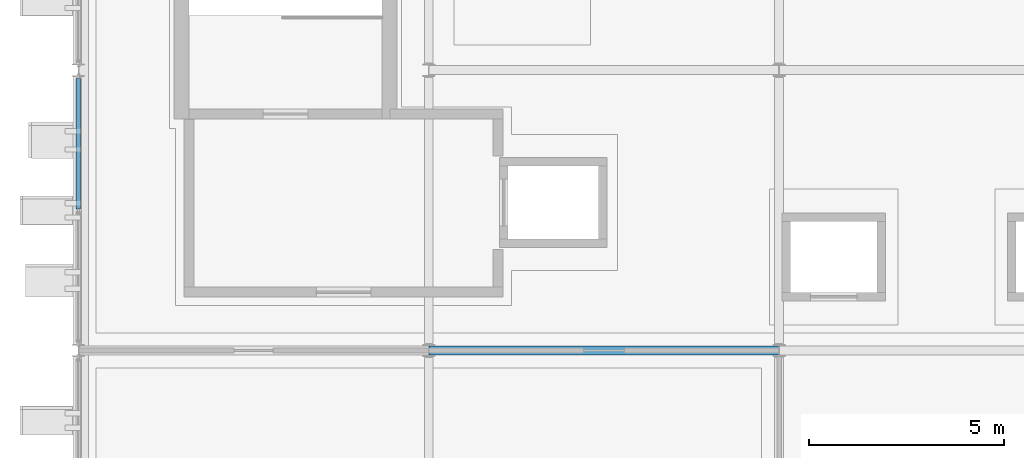
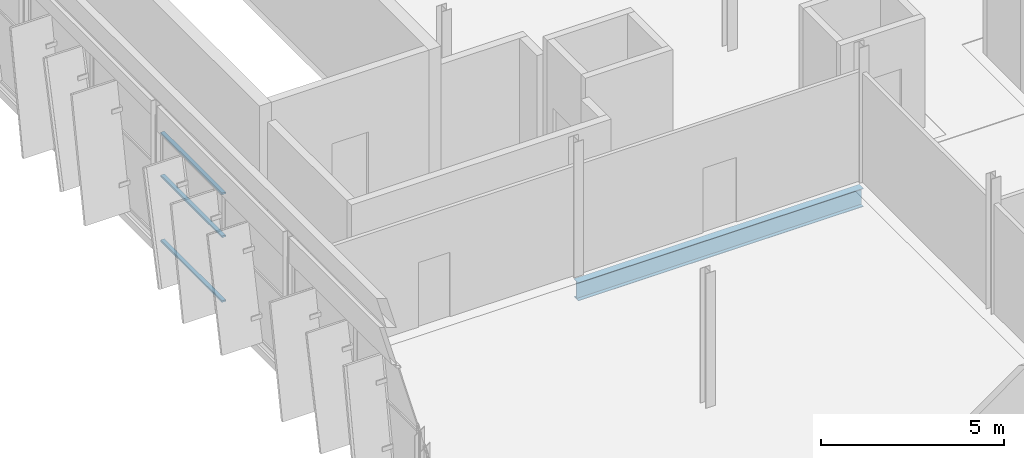
# One storey, part 23 of 52: 3 members, 1 beam, 1 element without a shape of its own.
"""IFC4 building model written with IfcOpenShell, lengths in metres."""

from ifc_helpers import new_model, si_unit, direction, frame, origin, origin_2d, place, context, subcontext, project, spatial, hollow_rectangle, i_section, extrude, material, layer, layer_set, material_profile, profile_set, type_object, element, aggregate, save


model = new_model("IFC4")

# Units and contexts
model_context = context("Model", 3, precision=1e-05, world=origin(), true_north=direction((0.0, 1.0)))
body_context = subcontext(model_context, "Body", "Model", "MODEL_VIEW")
ifc_project = project(units=[si_unit("LENGTHUNIT", "METRE"), si_unit("AREAUNIT", "SQUARE_METRE"), si_unit("VOLUMEUNIT", "CUBIC_METRE"), si_unit("PLANEANGLEUNIT", "RADIAN"), si_unit("MASSUNIT", "GRAM", prefix="KILO")], contexts=[model_context])

# Site, building, storey
site_placement = place(None, origin())
site = spatial("IfcSite", under=ifc_project, at=site_placement, CompositionType="ELEMENT")
building_placement = place(site_placement, origin())
building = spatial("IfcBuilding", under=site, at=building_placement, Name="Celestram Park Convention Centre", CompositionType="ELEMENT")
storey_placement = place(building_placement, frame((0.0, 0.0, 24.300048828125)))
storey = spatial("IfcBuildingStorey", under=building, at=storey_placement, Name="L05", CompositionType="ELEMENT", Elevation=24.300048828125)

# Curtain wall, members
ifc_material_1 = material(Name="Anodised Aluminium Alloy 6063-T6", Category="aluminium")
ifc_layer = layer(ifc_material_1, 0.179931640625)
ifc_layer_set = layer_set([ifc_layer], Name="Anodised Aluminium Alloy 6063-T6")
curtain_wall_type = type_object("IfcCurtainWallType", Name="ARC-CW-690X365", PredefinedType="NOTDEFINED", material=ifc_layer_set)
curtain_wall_placement = place(storey_placement, origin())
curtain_wall = element("IfcCurtainWall", 1, at=curtain_wall_placement, inside=storey, type_object=curtain_wall_type, Name="Unitised curtain wall CU-L05-248", PredefinedType="NOTDEFINED")
ifc_material_profile_1 = material_profile(ifc_material_1, hollow_rectangle(XDim=0.1201171875, YDim=0.06005859375, WallThickness=0.0029296875, at=origin_2d()), Name="ALU120X60X3")
ifc_profile_set_1 = profile_set([ifc_material_profile_1], Name="Anodised Aluminium Alloy 6063-T6")
member_type = type_object("IfcMemberType", Name="ARC-CWT-120", PredefinedType="USERDEFINED", material=ifc_profile_set_1)
member_1_placement = place(storey_placement, frame((36.0, 147.632568359375, 0.030029296875), z_axis=(0.0, 1.0, 0.0), x_axis=(-1.0, 0.0, 0.0)))
member_1 = element("IfcMember", 2, at=member_1_placement, type_object=member_type, Name="CW-69X36 transom 2.1", ObjectType="TRANSOM", PredefinedType="USERDEFINED", context=body_context, shape_type="SweptSolid", body=[
    extrude(hollow_rectangle(XDim=0.1201171875, YDim=0.06005859375, WallThickness=0.0029296875, at=origin_2d()), origin(), (0.0, 0.0, 1.0), 3.350830078125),
])
member_2_placement = place(storey_placement, frame((36.0, 147.632568359375, 2.18896484375), z_axis=(0.0, 1.0, 0.0), x_axis=(-1.0, 0.0, 0.0)))
member_2 = element("IfcMember", 3, at=member_2_placement, type_object=member_type, Name="CW-69X36 transom 2.2", ObjectType="TRANSOM", PredefinedType="USERDEFINED", context=body_context, shape_type="SweptSolid", body=[
    extrude(hollow_rectangle(XDim=0.1201171875, YDim=0.06005859375, WallThickness=0.0029296875, at=origin_2d()), origin(), (0.0, 0.0, 1.0), 3.350830078125),
])
member_3_placement = place(storey_placement, frame((36.0, 147.632568359375, 3.617919921875), z_axis=(0.0, 1.0, 0.0), x_axis=(-1.0, 0.0, 0.0)))
member_3 = element("IfcMember", 4, at=member_3_placement, type_object=member_type, Name="CW-69X36 transom 2.3", ObjectType="TRANSOM", PredefinedType="USERDEFINED", context=body_context, shape_type="SweptSolid", body=[
    extrude(hollow_rectangle(XDim=0.1201171875, YDim=0.06005859375, WallThickness=0.0029296875, at=origin_2d()), origin(), (0.0, 0.0, 1.0), 3.350830078125),
])
aggregate(curtain_wall, [member_1, member_2, member_3])

# Beam
ifc_material_2 = material(Name="Steel ASTM A992 Grade 50", Category="steel")
ifc_material_profile_2 = material_profile(ifc_material_2, i_section(OverallWidth=0.22900390625, OverallDepth=0.612060546875, WebThickness=0.011962890625, FlangeThickness=0.01953125, at=origin_2d()), Name="W24X84")
ifc_profile_set_2 = profile_set([ifc_material_profile_2], Name="Steel ASTM A992 Grade 50")
beam_type = type_object("IfcBeamType", Name="STR-BM-W24X84", PredefinedType="BEAM", material=ifc_profile_set_2)
beam_placement = place(storey_placement, frame((45.006103515625, 144.0, -0.546142578125), z_axis=(1.0, 0.0, 0.0), x_axis=(0.0, 1.0, 0.0)))
element("IfcBeam", 5, at=beam_placement, inside=storey, type_object=beam_type, Name="Primary X-girder BG-L05-0024", PredefinedType="BEAM", context=body_context, shape_type="SweptSolid", body=[
    extrude(i_section(OverallWidth=0.22900390625, OverallDepth=0.612060546875, WebThickness=0.011962890625, FlangeThickness=0.01953125, at=origin_2d()), origin(), (0.0, 0.0, 1.0), 8.98779296875),
])

save(model, "model.ifc")
